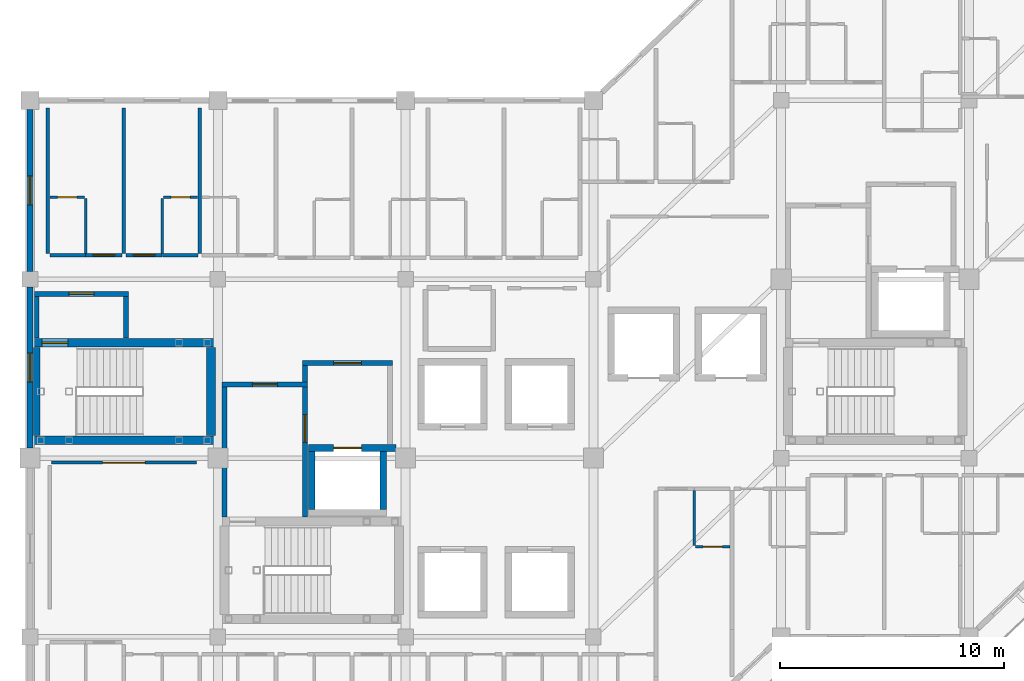
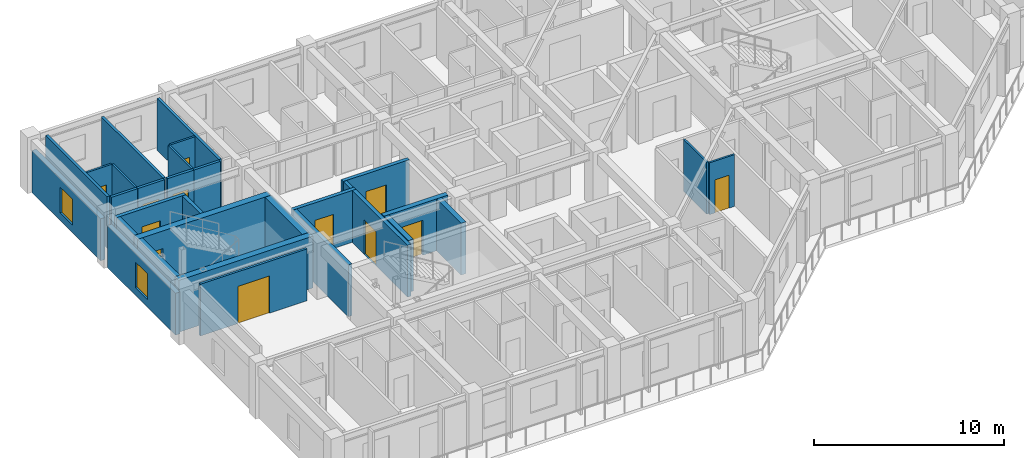
# One storey, part 7 of 17: 31 walls, 12 doors, 2 windows, 14 openings.
"""IFC4 building model written with IfcOpenShell, lengths in metres."""

import ifcopenshell
import ifcopenshell.guid

model = None  # the IFC model being written
_history = None  # IfcOwnerHistory: only IFC2X3 demands one
_inside = {}  # id of a spatial element -> (the spatial element, [elements in it])
_under = {}  # id of a project, library or spatial element -> (it, [spatial elements below it])
_declared = {}  # id of a project -> (the project, [libraries it declares])
_typed = {}  # id of a type object -> (the type object, [elements of that type])
_made_of = {}  # id of a material, layer set ... -> (it, [elements and type objects made of it])


def new_model(schema):
    """Start an empty IFC model of exactly this schema.

    Asked for "IFC4X3", IfcOpenShell would pick the latest addendum, in which some entities
    have other attributes; the version numbers below select the first issue.
    IFC2X3 requires an IfcOwnerHistory on every rooted entity: one is made here for all.
    """
    global model, _history
    if schema == "IFC4X3":
        model = ifcopenshell.file(schema_version=(4, 3, 0, 0))
    else:
        model = ifcopenshell.file(schema=schema)
    _inside.clear()
    _under.clear()
    _declared.clear()
    _typed.clear()
    _made_of.clear()
    _history = None
    if model.schema == "IFC2X3":
        org = make("IfcOrganization", Name="unknown")
        user = make(
            "IfcPersonAndOrganization",
            ThePerson=make("IfcPerson", FamilyName="unknown"),
            TheOrganization=org,
        )
        app = make(
            "IfcApplication",
            ApplicationDeveloper=org,
            Version="unknown",
            ApplicationFullName="unknown",
            ApplicationIdentifier="unknown",
        )
        _history = make(
            "IfcOwnerHistory",
            OwningUser=user,
            OwningApplication=app,
            ChangeAction="ADDED",
            CreationDate=0,
        )
    return model


def make(cls, **values):
    """One entity of the class cls with the attributes given. An attribute that is None is left unset."""
    return model.create_entity(
        cls, **{name: value for name, value in values.items() if value is not None}
    )


def rooted(cls, **values):
    """An entity with a GlobalId (a new one), such as an element, a storey or a relation."""
    return make(cls, GlobalId=ifcopenshell.guid.new(), OwnerHistory=_history, **values)


def si_unit(unit_type, name, prefix=None):
    """IfcSIUnit, for example si_unit("LENGTHUNIT", "METRE", prefix="MILLI")."""
    return make("IfcSIUnit", UnitType=unit_type, Prefix=prefix, Name=name)


def assignment(units):
    """IfcUnitAssignment: the units of a project."""
    return None if units is None else make("IfcUnitAssignment", Units=units)


def point(xyz):
    """IfcCartesianPoint."""
    return None if xyz is None else make("IfcCartesianPoint", Coordinates=xyz)


def direction(xyz):
    """IfcDirection."""
    return None if xyz is None else make("IfcDirection", DirectionRatios=xyz)


def frame(location, z_axis=None, x_axis=None):
    """IfcAxis2Placement3D, a coordinate frame: its origin and axes. An axis left out is left unset."""
    return make(
        "IfcAxis2Placement3D",
        Location=point(location),
        Axis=direction(z_axis),
        RefDirection=direction(x_axis),
    )


def frame_2d(location, x_axis=None):
    """IfcAxis2Placement2D, a coordinate frame in the plane: its origin and x axis."""
    return make(
        "IfcAxis2Placement2D", Location=point(location), RefDirection=direction(x_axis)
    )


def origin():
    """The frame at (0, 0, 0) with its axes left unset."""
    return frame((0.0, 0.0, 0.0))


def place(relative_to, where):
    """IfcLocalPlacement: puts the frame where relative to a parent placement (None: the world)."""
    return make(
        "IfcLocalPlacement", PlacementRelTo=relative_to, RelativePlacement=where
    )


def context(
    kind, dimensions, precision=None, world=None, true_north=None, identifier=None
):
    """IfcGeometricRepresentationContext, for example the 3D "Model" context."""
    return make(
        "IfcGeometricRepresentationContext",
        ContextIdentifier=identifier,
        ContextType=kind,
        CoordinateSpaceDimension=dimensions,
        Precision=precision,
        WorldCoordinateSystem=world,
        TrueNorth=true_north,
    )


def subcontext(parent, identifier, kind, view, scale=None):
    """IfcGeometricRepresentationSubContext, for example "Body" below "Model"."""
    return make(
        "IfcGeometricRepresentationSubContext",
        ContextIdentifier=identifier,
        ContextType=kind,
        ParentContext=parent,
        TargetScale=scale,
        TargetView=view,
    )


def project(units=None, contexts=None):
    """IfcProject with its units and contexts."""
    return rooted(
        "IfcProject",
        Name="project",
        RepresentationContexts=contexts,
        UnitsInContext=assignment(units),
    )


def spatial(cls, under=None, at=None, **own):
    """A site, building, storey or space (cls), placed at a placement, below another one or the project."""
    s = rooted(cls, ObjectPlacement=at, **own)
    if under is not None:
        _under.setdefault(under.id(), (under, []))[1].append(s)
    return s


def profile(cls, at=None, kind="AREA", **sizes):
    """A parametric profile (cls). Its sizes go by their IFC names, for example OverallWidth=200.0."""
    return make(cls, ProfileType=kind, Position=at, **sizes)


def rectangle(**sizes):
    """IfcRectangleProfileDef."""
    return profile("IfcRectangleProfileDef", **sizes)


def extrude(swept, where, along, depth):
    """IfcExtrudedAreaSolid: the profile swept, set in the frame where, extruded along a direction by depth."""
    return make(
        "IfcExtrudedAreaSolid",
        SweptArea=swept,
        Position=where,
        ExtrudedDirection=direction(along),
        Depth=depth,
    )


def shape(context_of_items, identifier, shape_type, items):
    """IfcShapeRepresentation: the items that make up one representation, for example the "Body"."""
    return make(
        "IfcShapeRepresentation",
        ContextOfItems=context_of_items,
        RepresentationIdentifier=identifier,
        RepresentationType=shape_type,
        Items=items,
    )


def material(Name=None, Category=None):
    """IfcMaterial."""
    return make("IfcMaterial", Name=Name, Category=Category)


def layer(
    of_material, thickness, ventilated=None, Name=None, Category=None, Priority=None
):
    """IfcMaterialLayer: one layer of a wall or slab, of a material (None: an air gap)."""
    return make(
        "IfcMaterialLayer",
        Material=of_material,
        LayerThickness=thickness,
        IsVentilated=ventilated,
        Name=Name,
        Category=Category,
        Priority=Priority,
    )


def layer_set(layers, Name=None):
    """IfcMaterialLayerSet."""
    return make("IfcMaterialLayerSet", MaterialLayers=layers, LayerSetName=Name)


def made_of(thing, what):
    """Note that an element or type object is made of a material, layer set ...; save() writes the relation."""
    if what is not None:
        _made_of.setdefault(what.id(), (what, []))[1].append(thing)
    return thing


def type_object(cls, material=None, **own):
    """A type object (cls), such as IfcWallType, which elements share."""
    return made_of(rooted(cls, **own), material)


def element(
    cls,
    number,
    at=None,
    inside=None,
    cuts=None,
    type_object=None,
    material=None,
    context=None,
    identifier="Body",
    shape_type=None,
    held_by="IfcProductDefinitionShape",
    body=None,
    shapes=None,
    **own,
):
    """One element of the class cls, such as IfcWall. Its Tag is "e" and its number.

    at: its placement. inside: the storey or other place that contains it. cuts: it is an
    opening in that element (IfcRelVoidsElement). A single representation is given by context,
    identifier, shape_type and body (its items); several are given by shapes. held_by: the class
    of the entity that holds the representations. save() writes the other relations.
    """
    e = rooted(cls, Tag="e%d" % number, ObjectPlacement=at, **own)
    if body is not None:
        shapes = [shape(context, identifier, shape_type, body)]
    if shapes is not None:
        e.Representation = make(held_by, Representations=shapes)
    if inside is not None:
        _inside.setdefault(inside.id(), (inside, []))[1].append(e)
    if cuts is not None:
        rooted(
            "IfcRelVoidsElement", RelatingBuildingElement=cuts, RelatedOpeningElement=e
        )
    if type_object is not None:
        _typed.setdefault(type_object.id(), (type_object, []))[1].append(e)
    return made_of(e, material)


def fill(opening, filler):
    """IfcRelFillsElement: the door or window that sits in an opening."""
    return rooted(
        "IfcRelFillsElement",
        RelatingOpeningElement=opening,
        RelatedBuildingElement=filler,
    )


def aggregate(whole, parts):
    """IfcRelAggregates: a whole, such as a stair, and the parts it consists of."""
    return rooted("IfcRelAggregates", RelatingObject=whole, RelatedObjects=parts)


def save(model, path):
    """Write the relations noted so far, then the file.

    IfcRelAggregates (storeys below a building ...), IfcRelContainedInSpatialStructure (elements
    in a storey), IfcRelDefinesByType, IfcRelAssociatesMaterial and IfcRelDeclares: one each for
    every whole, place, type object, material and project.
    """
    for whole, parts in _under.values():
        aggregate(whole, parts)
    for where, things in _inside.values():
        rooted(
            "IfcRelContainedInSpatialStructure",
            RelatedElements=things,
            RelatingStructure=where,
        )
    for kind, things in _typed.values():
        rooted("IfcRelDefinesByType", RelatedObjects=things, RelatingType=kind)
    for what, things in _made_of.values():
        rooted("IfcRelAssociatesMaterial", RelatedObjects=things, RelatingMaterial=what)
    for by, libraries in _declared.values():
        rooted("IfcRelDeclares", RelatingContext=by, RelatedDefinitions=libraries)
    model.write(path)


model = new_model("IFC4")

# Units and contexts
model_context = context("Model", 3, precision=1e-05, world=origin(), true_north=direction((0.0, 1.0)))
body_context = subcontext(model_context, "Body", "Model", "MODEL_VIEW")
ifc_project = project(units=[si_unit("LENGTHUNIT", "METRE"), si_unit("AREAUNIT", "SQUARE_METRE"), si_unit("VOLUMEUNIT", "CUBIC_METRE"), si_unit("PLANEANGLEUNIT", "RADIAN"), si_unit("MASSUNIT", "GRAM", prefix="KILO")], contexts=[model_context])

# Site, building, storey
site_placement = place(None, origin())
site = spatial("IfcSite", under=ifc_project, at=site_placement, CompositionType="ELEMENT")
building_placement = place(site_placement, origin())
building = spatial("IfcBuilding", under=site, at=building_placement, Name="Naruveol Harbour Congress Hotel", CompositionType="ELEMENT")
storey_placement = place(building_placement, frame((0.0, 0.0, 25.199951171875)))
storey = spatial("IfcBuildingStorey", under=building, at=storey_placement, Name="L05", CompositionType="ELEMENT", Elevation=25.199951171875)

# Wall, opening, door
ifc_material_1 = material(Name="Acoustic Double Stud Gypsum", Category="gypsum")
ifc_layer_1 = layer(ifc_material_1, 0.139892578125)
ifc_layer_set_1 = layer_set([ifc_layer_1], Name="Acoustic Double Stud Gypsum")
wall_type_1 = type_object("IfcWallType", Name="ACOUSTIC MEETING PARTITION WALL 140", PredefinedType="PARTITIONING", material=ifc_layer_set_1)
wall_1_placement = place(storey_placement, frame((118.56005859375, 15.800048828125, 0.0), z_axis=(0.0, 0.0, 1.0), x_axis=(1.0, 0.0, 0.0)))
wall_1 = element("IfcWall", 1, at=wall_1_placement, inside=storey, type_object=wall_type_1, Name="Harbour Club Lounge north entry wall PW-140", PredefinedType="PARTITIONING", context=body_context, shape_type="SweptSolid", body=[
    extrude(rectangle(XDim=6.47998046875, YDim=0.139892578125, at=frame_2d((3.239990234375, 0.0))), origin(), (0.0, 0.0, 1.0), 3.3349609375),
])
opening_1_placement = place(wall_1_placement, frame((2.2900390625, 0.0, 0.0)))
opening_1 = element("IfcOpeningElement", 2, at=opening_1_placement, cuts=wall_1, Name="Opening ID-LG-101", PredefinedType="OPENING", context=body_context, shape_type="SweptSolid", body=[
    extrude(rectangle(XDim=1.89990234375, YDim=2.39990234375, at=frame_2d((0.949951171875, 1.199951171875))), frame((0.0, 0.079833984375, 0.0), z_axis=(0.0, -1.0, 0.0), x_axis=(1.0, 0.0, 0.0)), (0.0, 0.0, 1.0), 0.159912109375),
])
ifc_material_2 = material(Name="Timber & Steel Acoustic Leaf", Category="steel")
door_type_1 = type_object("IfcDoorType", Name="RESTAURANT AND LOUNGE GLAZED DOOR 1900X2400", OperationType="DOUBLE_DOOR_SINGLE_SWING", PredefinedType="DOOR", material=ifc_material_2)
door_1_placement = place(opening_1_placement, origin())
door_1 = element("IfcDoor", 3, at=door_1_placement, inside=storey, type_object=door_type_1, Name="Harbour Club Lounge Entrance Door", OperationType="DOUBLE_DOOR_SINGLE_SWING", OverallHeight=2.39990234375, OverallWidth=1.89990234375, PredefinedType="DOOR", context=body_context, shape_type="SweptSolid", body=[
    extrude(rectangle(XDim=1.89990234375, YDim=2.39990234375, at=frame_2d((0.949951171875, 1.199951171875))), frame((0.0, 0.02490234375, 0.0), z_axis=(0.0, -1.0, 0.0), x_axis=(1.0, 0.0, 0.0)), (0.0, 0.0, 1.0), 0.050048828125),
])
fill(opening_1, door_1)

# Wall, opening, window
ifc_material_3 = material(Name="Precast concrete C40/50", Category="concrete")
ifc_layer_2 = layer(ifc_material_3, 0.280029296875)
ifc_layer_set_2 = layer_set([ifc_layer_2], Name="Precast concrete C40/50")
wall_type_2 = type_object("IfcWallType", Name="ARCHITECTURAL PRECAST FACADE WALL 280", PredefinedType="SOLIDWALL", material=ifc_layer_set_2)
wall_2_placement = place(storey_placement, frame((117.60009765625, 16.449951171875, 0.0), z_axis=(0.0, 0.0, 1.0), x_axis=(0.0, 1.0, 0.0)))
wall_2 = element("IfcWall", 4, at=wall_2_placement, inside=storey, type_object=wall_type_2, Name="Hotel west gable wall L05 EW-280", PredefinedType="SOLIDWALL", context=body_context, shape_type="SweptSolid", body=[
    extrude(rectangle(XDim=7.199951171875, YDim=0.280029296875, at=frame_2d((3.60009765625, 0.0))), origin(), (0.0, 0.0, 1.0), 2.699951171875),
])
opening_2_placement = place(wall_2_placement, frame((2.949951171875, 0.0, 0.5)))
opening_2 = element("IfcOpeningElement", 5, at=opening_2_placement, cuts=wall_2, Name="Opening W-27", PredefinedType="OPENING", context=body_context, shape_type="SweptSolid", body=[
    extrude(rectangle(XDim=1.300048828125, YDim=1.64990234375, at=frame_2d((0.64990234375, 0.824951171875))), frame((0.0, 0.14990234375, 0.0), z_axis=(0.0, -1.0, 0.0), x_axis=(1.0, 0.0, 0.0)), (0.0, 0.0, 1.0), 0.300048828125),
])
ifc_material_4 = material(Name="Low-E Triple Glazing in Thermal Aluminium", Category="aluminium")
window_type = type_object("IfcWindowType", Name="READING SALON TALL WINDOW 1300X1650", PartitioningType="SINGLE_PANEL", PredefinedType="WINDOW", material=ifc_material_4)
window_1_placement = place(opening_2_placement, origin())
window_1 = element("IfcWindow", 6, at=window_1_placement, inside=storey, type_object=window_type, Name="Window W-27 #344", OverallHeight=1.64990234375, OverallWidth=1.300048828125, PartitioningType="SINGLE_PANEL", PredefinedType="WINDOW", context=body_context, shape_type="SweptSolid", body=[
    extrude(rectangle(XDim=1.300048828125, YDim=1.64990234375, at=frame_2d((0.64990234375, 0.824951171875))), frame((0.0, 0.030029296875, 0.0), z_axis=(0.0, -1.0, 0.0), x_axis=(1.0, 0.0, 0.0)), (0.0, 0.0, 1.0), 0.06005859375),
])
fill(opening_2, window_1)

wall_3_placement = place(storey_placement, frame((117.60009765625, 24.35009765625, 0.0), z_axis=(0.0, 0.0, 1.0), x_axis=(0.0, 1.0, 0.0)))
wall_3 = element("IfcWall", 7, at=wall_3_placement, inside=storey, type_object=wall_type_2, Name="Hotel west gable wall L05 EW-280", PredefinedType="SOLIDWALL", context=body_context, shape_type="SweptSolid", body=[
    extrude(rectangle(XDim=7.25, YDim=0.280029296875, at=frame_2d((3.625, 0.0))), origin(), (0.0, 0.0, 1.0), 2.699951171875),
])
opening_3_placement = place(wall_3_placement, frame((2.97509765625, 0.0, 0.5)))
opening_3 = element("IfcOpeningElement", 8, at=opening_3_placement, cuts=wall_3, Name="Opening W-27", PredefinedType="OPENING", context=body_context, shape_type="SweptSolid", body=[
    extrude(rectangle(XDim=1.300048828125, YDim=1.64990234375, at=frame_2d((0.64990234375, 0.824951171875))), frame((0.0, 0.14990234375, 0.0), z_axis=(0.0, -1.0, 0.0), x_axis=(1.0, 0.0, 0.0)), (0.0, 0.0, 1.0), 0.300048828125),
])
window_2_placement = place(opening_3_placement, origin())
window_2 = element("IfcWindow", 9, at=window_2_placement, inside=storey, type_object=window_type, Name="Window W-27 #345", OverallHeight=1.64990234375, OverallWidth=1.300048828125, PartitioningType="SINGLE_PANEL", PredefinedType="WINDOW", context=body_context, shape_type="SweptSolid", body=[
    extrude(rectangle(XDim=1.300048828125, YDim=1.64990234375, at=frame_2d((0.64990234375, 0.824951171875))), frame((0.0, 0.030029296875, 0.0), z_axis=(0.0, -1.0, 0.0), x_axis=(1.0, 0.0, 0.0)), (0.0, 0.0, 1.0), 0.06005859375),
])
fill(opening_3, window_2)

# Wall
ifc_material_5 = material(Name="Moisture-Resistant Gypsum Partition", Category="gypsum")
ifc_layer_3 = layer(ifc_material_5, 0.114990234375)
ifc_layer_set_3 = layer_set([ifc_layer_3], Name="Moisture-Resistant Gypsum Partition")
wall_type_3 = type_object("IfcWallType", Name="BATHROOM MOISTURE PARTITION WALL 115", PredefinedType="PARTITIONING", material=ifc_layer_set_3)
wall_4_placement = place(storey_placement, frame((120.090087890625, 25.159912109375, 0.0), z_axis=(0.0, 0.0, 1.0), x_axis=(0.0, 1.0, 0.0)))
element("IfcWall", 10, at=wall_4_placement, inside=storey, type_object=wall_type_3, Name="Bathroom east wall 0634 PW-115", PredefinedType="PARTITIONING", context=body_context, shape_type="SweptSolid", body=[
    extrude(rectangle(XDim=2.4501953125, YDim=0.114990234375, at=frame_2d((1.22509765625, 0.0))), origin(), (0.0, 0.0, 1.0), 3.3349609375),
])

# Wall, opening, door
wall_5_placement = place(storey_placement, frame((118.5, 27.669921875, 0.0), z_axis=(0.0, 0.0, 1.0), x_axis=(1.0, 0.0, 0.0)))
wall_5 = element("IfcWall", 11, at=wall_5_placement, inside=storey, type_object=wall_type_3, Name="Bathroom north wall 0634 PW-115", PredefinedType="PARTITIONING", context=body_context, shape_type="SweptSolid", body=[
    extrude(rectangle(XDim=1.530029296875, YDim=0.114990234375, at=frame_2d((0.76513671875, 0.0))), origin(), (0.0, 0.0, 1.0), 3.3349609375),
])
opening_4_placement = place(wall_5_placement, frame((0.3349609375, 0.0, 0.0)))
opening_4 = element("IfcOpeningElement", 12, at=opening_4_placement, cuts=wall_5, Name="Opening BD-RM0634", PredefinedType="OPENING", context=body_context, shape_type="SweptSolid", body=[
    extrude(rectangle(XDim=0.860107421875, YDim=2.1201171875, at=frame_2d((0.43017578125, 1.06005859375))), frame((0.0, 0.0673828125, 0.0), z_axis=(0.0, -1.0, 0.0), x_axis=(1.0, 0.0, 0.0)), (0.0, 0.0, 1.0), 0.135009765625),
])
ifc_material_6 = material(Name="Timber & Steel Acoustic Leaf", Category="steel")
door_type_2 = type_object("IfcDoorType", Name="GUEST BATHROOM DOOR 860X2120", OperationType="NOTDEFINED", PredefinedType="DOOR", material=ifc_material_6)
door_2_placement = place(opening_4_placement, origin())
door_2 = element("IfcDoor", 13, at=door_2_placement, inside=storey, type_object=door_type_2, Name="Bathroom Door 0634", OperationType="SINGLE_SWING_RIGHT", OverallHeight=2.1201171875, OverallWidth=0.860107421875, PredefinedType="DOOR", context=body_context, shape_type="SweptSolid", body=[
    extrude(rectangle(XDim=0.860107421875, YDim=2.1201171875, at=frame_2d((0.43017578125, 1.06005859375))), frame((0.0, 0.02490234375, 0.0), z_axis=(0.0, -1.0, 0.0), x_axis=(1.0, 0.0, 0.0)), (0.0, 0.0, 1.0), 0.050048828125),
])
fill(opening_4, door_2)

# Wall
wall_6_placement = place(storey_placement, frame((123.510009765625, 25.159912109375, 0.0), z_axis=(0.0, 0.0, 1.0), x_axis=(0.0, 1.0, 0.0)))
element("IfcWall", 14, at=wall_6_placement, inside=storey, type_object=wall_type_3, Name="Bathroom west wall 0635 PW-115", PredefinedType="PARTITIONING", context=body_context, shape_type="SweptSolid", body=[
    extrude(rectangle(XDim=2.4501953125, YDim=0.114990234375, at=frame_2d((1.22509765625, 0.0))), origin(), (0.0, 0.0, 1.0), 3.3349609375),
])

# Wall, opening, door
wall_7_placement = place(storey_placement, frame((123.570068359375, 27.669921875, 0.0), z_axis=(0.0, 0.0, 1.0), x_axis=(1.0, 0.0, 0.0)))
wall_7 = element("IfcWall", 15, at=wall_7_placement, inside=storey, type_object=wall_type_3, Name="Bathroom north wall 0635 PW-115", PredefinedType="PARTITIONING", context=body_context, shape_type="SweptSolid", body=[
    extrude(rectangle(XDim=1.530029296875, YDim=0.114990234375, at=frame_2d((0.76513671875, 0.0))), origin(), (0.0, 0.0, 1.0), 3.3349609375),
])
opening_5_placement = place(wall_7_placement, frame((0.3349609375, 0.0, 0.0)))
opening_5 = element("IfcOpeningElement", 16, at=opening_5_placement, cuts=wall_7, Name="Opening BD-RM0635", PredefinedType="OPENING", context=body_context, shape_type="SweptSolid", body=[
    extrude(rectangle(XDim=0.860107421875, YDim=2.1201171875, at=frame_2d((0.43017578125, 1.06005859375))), frame((0.0, 0.0673828125, 0.0), z_axis=(0.0, -1.0, 0.0), x_axis=(1.0, 0.0, 0.0)), (0.0, 0.0, 1.0), 0.135009765625),
])
door_3_placement = place(opening_5_placement, origin())
door_3 = element("IfcDoor", 17, at=door_3_placement, inside=storey, type_object=door_type_2, Name="Bathroom Door 0635", OperationType="SINGLE_SWING_RIGHT", OverallHeight=2.1201171875, OverallWidth=0.860107421875, PredefinedType="DOOR", context=body_context, shape_type="SweptSolid", body=[
    extrude(rectangle(XDim=0.860107421875, YDim=2.1201171875, at=frame_2d((0.43017578125, 1.06005859375))), frame((0.0, 0.02490234375, 0.0), z_axis=(0.0, -1.0, 0.0), x_axis=(1.0, 0.0, 0.0)), (0.0, 0.0, 1.0), 0.050048828125),
])
fill(opening_5, door_3)

# Wall
wall_8_placement = place(storey_placement, frame((147.31005859375, 12.090087890625, 0.0), z_axis=(0.0, 0.0, 1.0), x_axis=(0.0, 1.0, 0.0)))
element("IfcWall", 18, at=wall_8_placement, inside=storey, type_object=wall_type_3, Name="Bathroom west wall 0623 PW-115", PredefinedType="PARTITIONING", context=body_context, shape_type="SweptSolid", body=[
    extrude(rectangle(XDim=2.449951171875, YDim=0.114990234375, at=frame_2d((1.22509765625, 0.0))), origin(), (0.0, 0.0, 1.0), 3.3349609375),
])

# Wall, opening, door
wall_9_placement = place(storey_placement, frame((147.3701171875, 12.030029296875, 0.0), z_axis=(0.0, 0.0, 1.0), x_axis=(1.0, 0.0, 0.0)))
wall_9 = element("IfcWall", 19, at=wall_9_placement, inside=storey, type_object=wall_type_3, Name="Bathroom south wall 0623 PW-115", PredefinedType="PARTITIONING", context=body_context, shape_type="SweptSolid", body=[
    extrude(rectangle(XDim=1.52978515625, YDim=0.114990234375, at=frame_2d((0.764892578125, 0.0))), origin(), (0.0, 0.0, 1.0), 3.3349609375),
])
opening_6_placement = place(wall_9_placement, frame((0.3349609375, 0.0, 0.0)))
opening_6 = element("IfcOpeningElement", 20, at=opening_6_placement, cuts=wall_9, Name="Opening BD-RM0623", PredefinedType="OPENING", context=body_context, shape_type="SweptSolid", body=[
    extrude(rectangle(XDim=0.860107421875, YDim=2.1201171875, at=frame_2d((0.43017578125, 1.06005859375))), frame((0.0, 0.0673828125, 0.0), z_axis=(0.0, -1.0, 0.0), x_axis=(1.0, 0.0, 0.0)), (0.0, 0.0, 1.0), 0.135009765625),
])
door_4_placement = place(opening_6_placement, origin())
door_4 = element("IfcDoor", 21, at=door_4_placement, inside=storey, type_object=door_type_2, Name="Bathroom Door 0623", OperationType="SINGLE_SWING_RIGHT", OverallHeight=2.1201171875, OverallWidth=0.860107421875, PredefinedType="DOOR", context=body_context, shape_type="SweptSolid", body=[
    extrude(rectangle(XDim=0.860107421875, YDim=2.1201171875, at=frame_2d((0.43017578125, 1.06005859375))), frame((0.0, 0.02490234375, 0.0), z_axis=(0.0, -1.0, 0.0), x_axis=(1.0, 0.0, 0.0)), (0.0, 0.0, 1.0), 0.050048828125),
])
fill(opening_6, door_4)

# Wall
ifc_material_7 = material(Name="Concrete C40/50", Category="concrete")
ifc_layer_4 = layer(ifc_material_7, 0.219970703125)
ifc_layer_set_4 = layer_set([ifc_layer_4], Name="Concrete C40/50")
wall_type_4 = type_object("IfcWallType", Name="FIRE COMPARTMENT AND LOBBY WALL 220 EI120", PredefinedType="PARTITIONING", material=ifc_layer_set_4)
wall_10_placement = place(storey_placement, frame((126.300048828125, 13.364990234375, 0.0), z_axis=(0.0, 0.0, 1.0), x_axis=(0.0, 1.0, 0.0)))
element("IfcWall", 22, at=wall_10_placement, inside=storey, type_object=wall_type_4, Name="Smoke vestibule ST1 west wall FW-220", PredefinedType="PARTITIONING", context=body_context, shape_type="SweptSolid", body=[
    extrude(rectangle(XDim=5.820068359375, YDim=0.219970703125, at=frame_2d((2.91015625, 0.0))), origin(), (0.0, 0.0, 1.0), 3.3349609375),
])

# Wall, opening, door
wall_11_placement = place(storey_placement, frame((126.18994140625, 19.300048828125, 0.0), z_axis=(0.0, 0.0, 1.0), x_axis=(1.0, 0.0, 0.0)))
wall_11 = element("IfcWall", 23, at=wall_11_placement, inside=storey, type_object=wall_type_4, Name="Smoke vestibule ST1 north wall FW-220", PredefinedType="PARTITIONING", context=body_context, shape_type="SweptSolid", body=[
    extrude(rectangle(XDim=3.820068359375, YDim=0.219970703125, at=frame_2d((1.91015625, 0.0))), origin(), (0.0, 0.0, 1.0), 3.3349609375),
])
opening_7_placement = place(wall_11_placement, frame((1.35009765625, 0.0, 0.0)))
opening_7 = element("IfcOpeningElement", 24, at=opening_7_placement, cuts=wall_11, Name="Opening FD-ST1-V-L05", PredefinedType="OPENING", context=body_context, shape_type="SweptSolid", body=[
    extrude(rectangle(XDim=1.1201171875, YDim=2.199951171875, at=frame_2d((0.56005859375, 1.10009765625))), frame((0.0, 0.119873046875, 0.0), z_axis=(0.0, -1.0, 0.0), x_axis=(1.0, 0.0, 0.0)), (0.0, 0.0, 1.0), 0.239990234375),
])
ifc_material_8 = material(Name="Timber & Steel Acoustic Leaf", Category="steel")
door_type_3 = type_object("IfcDoorType", Name="VESTIBULE SMOKE CONTROL FIRE DOOR 1120X2200", OperationType="NOTDEFINED", PredefinedType="DOOR", material=ifc_material_8)
door_5_placement = place(opening_7_placement, origin())
door_5 = element("IfcDoor", 25, at=door_5_placement, inside=storey, type_object=door_type_3, Name="Smoke Vestibule Entry Door ST1 L05", OperationType="SINGLE_SWING_LEFT", OverallHeight=2.199951171875, OverallWidth=1.1201171875, PredefinedType="DOOR", context=body_context, shape_type="SweptSolid", body=[
    extrude(rectangle(XDim=1.1201171875, YDim=2.199951171875, at=frame_2d((0.56005859375, 1.10009765625))), frame((0.0, 0.02490234375, 0.0), z_axis=(0.0, -1.0, 0.0), x_axis=(1.0, 0.0, 0.0)), (0.0, 0.0, 1.0), 0.050048828125),
])
fill(opening_7, door_5)

wall_12_placement = place(storey_placement, frame((129.89990234375, 13.364990234375, 0.0), z_axis=(0.0, 0.0, 1.0), x_axis=(0.0, 1.0, 0.0)))
wall_12 = element("IfcWall", 26, at=wall_12_placement, inside=storey, type_object=wall_type_4, Name="Smoke vestibule ST1 east wall FW-220", PredefinedType="PARTITIONING", context=body_context, shape_type="SweptSolid", body=[
    extrude(rectangle(XDim=5.820068359375, YDim=0.219970703125, at=frame_2d((2.91015625, 0.0))), origin(), (0.0, 0.0, 1.0), 3.3349609375),
])
opening_8_placement = place(wall_12_placement, frame((3.3349609375, 0.0, 0.0)))
opening_8 = element("IfcOpeningElement", 27, at=opening_8_placement, cuts=wall_12, Name="Opening FD-FFL-ST1-L05", PredefinedType="OPENING", context=body_context, shape_type="SweptSolid", body=[
    extrude(rectangle(XDim=1.239990234375, YDim=2.199951171875, at=frame_2d((0.6201171875, 1.10009765625))), frame((0.0, 0.119873046875, 0.0), z_axis=(0.0, -1.0, 0.0), x_axis=(1.0, 0.0, 0.0)), (0.0, 0.0, 1.0), 0.239990234375),
])
ifc_material_9 = material(Name="Timber & Steel Acoustic Leaf", Category="steel")
door_type_4 = type_object("IfcDoorType", Name="FIREFIGHTING LOBBY FIRE DOOR 1240X2200", OperationType="NOTDEFINED", PredefinedType="DOOR", material=ifc_material_9)
door_6_placement = place(opening_8_placement, origin())
door_6 = element("IfcDoor", 28, at=door_6_placement, inside=storey, type_object=door_type_4, Name="Firefighting Lobby Vestibule Door ST1 L05", OperationType="SINGLE_SWING_RIGHT", OverallHeight=2.199951171875, OverallWidth=1.239990234375, PredefinedType="DOOR", context=body_context, shape_type="SweptSolid", body=[
    extrude(rectangle(XDim=1.239990234375, YDim=2.199951171875, at=frame_2d((0.6201171875, 1.10009765625))), frame((0.0, 0.02490234375, 0.0), z_axis=(0.0, -1.0, 0.0), x_axis=(1.0, 0.0, 0.0)), (0.0, 0.0, 1.0), 0.050048828125),
])
fill(opening_8, door_6)

# Wall
wall_13_placement = place(storey_placement, frame((129.89990234375, 19.4150390625, 0.0), z_axis=(0.0, 0.0, 1.0), x_axis=(0.0, 1.0, 0.0)))
element("IfcWall", 29, at=wall_13_placement, inside=storey, type_object=wall_type_4, Name="Firefighting lift lobby ST1 upper west wall FW-220", PredefinedType="PARTITIONING", context=body_context, shape_type="SweptSolid", body=[
    extrude(rectangle(XDim=0.719970703125, YDim=0.219970703125, at=frame_2d((0.35986328125, 0.0))), origin(), (0.0, 0.0, 1.0), 3.3349609375),
])

# Wall, opening, door
wall_14_placement = place(storey_placement, frame((129.7900390625, 20.25, 0.0), z_axis=(0.0, 0.0, 1.0), x_axis=(1.0, 0.0, 0.0)))
wall_14 = element("IfcWall", 30, at=wall_14_placement, inside=storey, type_object=wall_type_4, Name="Firefighting lift lobby ST1 north wall FW-220", PredefinedType="PARTITIONING", context=body_context, shape_type="SweptSolid", body=[
    extrude(rectangle(XDim=4.02001953125, YDim=0.219970703125, at=frame_2d((2.010009765625, 0.0))), origin(), (0.0, 0.0, 1.0), 3.3349609375),
])
opening_9_placement = place(wall_14_placement, frame((1.389892578125, 0.0, 0.0)))
opening_9 = element("IfcOpeningElement", 31, at=opening_9_placement, cuts=wall_14, Name="Opening FD-FFC-ST1-L05", PredefinedType="OPENING", context=body_context, shape_type="SweptSolid", body=[
    extrude(rectangle(XDim=1.239990234375, YDim=2.199951171875, at=frame_2d((0.6201171875, 1.10009765625))), frame((0.0, 0.119873046875, 0.0), z_axis=(0.0, -1.0, 0.0), x_axis=(1.0, 0.0, 0.0)), (0.0, 0.0, 1.0), 0.239990234375),
])
door_7_placement = place(opening_9_placement, origin())
door_7 = element("IfcDoor", 32, at=door_7_placement, inside=storey, type_object=door_type_4, Name="Firefighting Lobby Corridor Door ST1 L05", OperationType="SINGLE_SWING_LEFT", OverallHeight=2.199951171875, OverallWidth=1.239990234375, PredefinedType="DOOR", context=body_context, shape_type="SweptSolid", body=[
    extrude(rectangle(XDim=1.239990234375, YDim=2.199951171875, at=frame_2d((0.6201171875, 1.10009765625))), frame((0.0, 0.02490234375, 0.0), z_axis=(0.0, -1.0, 0.0), x_axis=(1.0, 0.0, 0.0)), (0.0, 0.0, 1.0), 0.050048828125),
])
fill(opening_9, door_7)

# Wall
wall_15_placement = place(storey_placement, frame((117.89990234375, 21.364990234375, 0.0), z_axis=(0.0, 0.0, 1.0), x_axis=(0.0, 1.0, 0.0)))
element("IfcWall", 33, at=wall_15_placement, inside=storey, type_object=wall_type_4, Name="Smoke vestibule ST3 west wall FW-220", PredefinedType="PARTITIONING", context=body_context, shape_type="SweptSolid", body=[
    extrude(rectangle(XDim=1.8701171875, YDim=0.219970703125, at=frame_2d((0.93505859375, 0.0))), origin(), (0.0, 0.0, 1.0), 3.3349609375),
])

# Wall, opening, door
wall_16_placement = place(storey_placement, frame((117.7900390625, 23.35009765625, 0.0), z_axis=(0.0, 0.0, 1.0), x_axis=(1.0, 0.0, 0.0)))
wall_16 = element("IfcWall", 34, at=wall_16_placement, inside=storey, type_object=wall_type_4, Name="Smoke vestibule ST3 north wall FW-220", PredefinedType="PARTITIONING", context=body_context, shape_type="SweptSolid", body=[
    extrude(rectangle(XDim=4.219970703125, YDim=0.219970703125, at=frame_2d((2.10986328125, 0.0))), origin(), (0.0, 0.0, 1.0), 3.3349609375),
])
opening_10_placement = place(wall_16_placement, frame((1.550048828125, 0.0, 0.0)))
opening_10 = element("IfcOpeningElement", 35, at=opening_10_placement, cuts=wall_16, Name="Opening FD-ST3-V-L05", PredefinedType="OPENING", context=body_context, shape_type="SweptSolid", body=[
    extrude(rectangle(XDim=1.1201171875, YDim=2.199951171875, at=frame_2d((0.56005859375, 1.10009765625))), frame((0.0, 0.119873046875, 0.0), z_axis=(0.0, -1.0, 0.0), x_axis=(1.0, 0.0, 0.0)), (0.0, 0.0, 1.0), 0.239990234375),
])
door_8_placement = place(opening_10_placement, origin())
door_8 = element("IfcDoor", 36, at=door_8_placement, inside=storey, type_object=door_type_3, Name="Smoke Vestibule Entry Door ST3 L05", OperationType="SINGLE_SWING_LEFT", OverallHeight=2.199951171875, OverallWidth=1.1201171875, PredefinedType="DOOR", context=body_context, shape_type="SweptSolid", body=[
    extrude(rectangle(XDim=1.1201171875, YDim=2.199951171875, at=frame_2d((0.56005859375, 1.10009765625))), frame((0.0, 0.02490234375, 0.0), z_axis=(0.0, -1.0, 0.0), x_axis=(1.0, 0.0, 0.0)), (0.0, 0.0, 1.0), 0.050048828125),
])
fill(opening_10, door_8)

# Walls
wall_17_placement = place(storey_placement, frame((121.89990234375, 21.364990234375, 0.0), z_axis=(0.0, 0.0, 1.0), x_axis=(0.0, 1.0, 0.0)))
element("IfcWall", 37, at=wall_17_placement, inside=storey, type_object=wall_type_4, Name="Smoke vestibule ST3 east wall FW-220", PredefinedType="PARTITIONING", context=body_context, shape_type="SweptSolid", body=[
    extrude(rectangle(XDim=1.8701171875, YDim=0.219970703125, at=frame_2d((0.93505859375, 0.0))), origin(), (0.0, 0.0, 1.0), 3.3349609375),
])
ifc_material_10 = material(Name="Autoclaved Aerated Concrete Block", Category="concrete")
ifc_layer_5 = layer(ifc_material_10, 0.159912109375)
ifc_layer_set_5 = layer_set([ifc_layer_5], Name="Autoclaved Aerated Concrete Block")
wall_type_5 = type_object("IfcWallType", Name="HOTEL PARTY AND CORRIDOR WALL 160 EI60", PredefinedType="PARTITIONING", material=ifc_layer_set_5)
wall_18_placement = place(storey_placement, frame((118.489990234375, 25.070068359375, 0.0), z_axis=(0.0, 0.0, 1.0), x_axis=(1.0, 0.0, 0.0)))
element("IfcWall", 38, at=wall_18_placement, inside=storey, type_object=wall_type_5, Name="Corridor wall 0634B PW-160", PredefinedType="PARTITIONING", context=body_context, shape_type="SweptSolid", body=[
    extrude(rectangle(XDim=1.590087890625, YDim=0.159912109375, at=frame_2d((0.794921875, 0.0))), origin(), (0.0, 0.0, 1.0), 3.3349609375),
])

# Wall, opening, door
wall_19_placement = place(storey_placement, frame((120.090087890625, 25.070068359375, 0.0), z_axis=(0.0, 0.0, 1.0), x_axis=(1.0, 0.0, 0.0)))
wall_19 = element("IfcWall", 39, at=wall_19_placement, inside=storey, type_object=wall_type_5, Name="Corridor entry wall 0634 PW-160", PredefinedType="PARTITIONING", context=body_context, shape_type="SweptSolid", body=[
    extrude(rectangle(XDim=1.619873046875, YDim=0.159912109375, at=frame_2d((0.81005859375, 0.0))), origin(), (0.0, 0.0, 1.0), 3.3349609375),
])
opening_11_placement = place(wall_19_placement, frame((0.330078125, 0.0, 0.0)))
opening_11 = element("IfcOpeningElement", 40, at=opening_11_placement, cuts=wall_19, Name="Opening FD-RM0634", PredefinedType="OPENING", context=body_context, shape_type="SweptSolid", body=[
    extrude(rectangle(XDim=0.9599609375, YDim=2.199951171875, at=frame_2d((0.47998046875, 1.10009765625))), frame((0.0, 0.08984375, 0.0), z_axis=(0.0, -1.0, 0.0), x_axis=(1.0, 0.0, 0.0)), (0.0, 0.0, 1.0), 0.179931640625),
])
ifc_material_11 = material(Name="Timber & Steel Acoustic Leaf", Category="steel")
door_type_5 = type_object("IfcDoorType", Name="GUEST ROOM ENTRANCE FIRE DOOR 960X2200", OperationType="NOTDEFINED", PredefinedType="DOOR", material=ifc_material_11)
door_9_placement = place(opening_11_placement, origin())
door_9 = element("IfcDoor", 41, at=door_9_placement, inside=storey, type_object=door_type_5, Name="Hotel Room Door 0634", OperationType="SINGLE_SWING_LEFT", OverallHeight=2.199951171875, OverallWidth=0.9599609375, PredefinedType="DOOR", context=body_context, shape_type="SweptSolid", body=[
    extrude(rectangle(XDim=0.9599609375, YDim=2.199951171875, at=frame_2d((0.47998046875, 1.10009765625))), frame((0.0, 0.02490234375, 0.0), z_axis=(0.0, -1.0, 0.0), x_axis=(1.0, 0.0, 0.0)), (0.0, 0.0, 1.0), 0.050048828125),
])
fill(opening_11, door_9)

# Wall
wall_20_placement = place(storey_placement, frame((118.39990234375, 25.159912109375, 0.0), z_axis=(0.0, 0.0, 1.0), x_axis=(0.0, 1.0, 0.0)))
element("IfcWall", 42, at=wall_20_placement, inside=storey, type_object=wall_type_5, Name="Hotel party wall 0634 PW-160", PredefinedType="PARTITIONING", context=body_context, shape_type="SweptSolid", body=[
    extrude(rectangle(XDim=6.5, YDim=0.159912109375, at=frame_2d((3.25, 0.0))), origin(), (0.0, 0.0, 1.0), 3.3349609375),
])

# Wall, opening, door
wall_21_placement = place(storey_placement, frame((121.889892578125, 25.070068359375, 0.0), z_axis=(0.0, 0.0, 1.0), x_axis=(1.0, 0.0, 0.0)))
wall_21 = element("IfcWall", 43, at=wall_21_placement, inside=storey, type_object=wall_type_5, Name="Corridor entry wall 0635 PW-160", PredefinedType="PARTITIONING", context=body_context, shape_type="SweptSolid", body=[
    extrude(rectangle(XDim=1.6201171875, YDim=0.159912109375, at=frame_2d((0.81005859375, 0.0))), origin(), (0.0, 0.0, 1.0), 3.3349609375),
])
opening_12_placement = place(wall_21_placement, frame((0.330078125, 0.0, 0.0)))
opening_12 = element("IfcOpeningElement", 44, at=opening_12_placement, cuts=wall_21, Name="Opening FD-RM0635", PredefinedType="OPENING", context=body_context, shape_type="SweptSolid", body=[
    extrude(rectangle(XDim=0.9599609375, YDim=2.199951171875, at=frame_2d((0.47998046875, 1.10009765625))), frame((0.0, 0.08984375, 0.0), z_axis=(0.0, -1.0, 0.0), x_axis=(1.0, 0.0, 0.0)), (0.0, 0.0, 1.0), 0.179931640625),
])
door_10_placement = place(opening_12_placement, origin())
door_10 = element("IfcDoor", 45, at=door_10_placement, inside=storey, type_object=door_type_5, Name="Hotel Room Door 0635", OperationType="SINGLE_SWING_LEFT", OverallHeight=2.199951171875, OverallWidth=0.9599609375, PredefinedType="DOOR", context=body_context, shape_type="SweptSolid", body=[
    extrude(rectangle(XDim=0.9599609375, YDim=2.199951171875, at=frame_2d((0.47998046875, 1.10009765625))), frame((0.0, 0.02490234375, 0.0), z_axis=(0.0, -1.0, 0.0), x_axis=(1.0, 0.0, 0.0)), (0.0, 0.0, 1.0), 0.050048828125),
])
fill(opening_12, door_10)

# Walls
wall_22_placement = place(storey_placement, frame((123.52001953125, 25.070068359375, 0.0), z_axis=(0.0, 0.0, 1.0), x_axis=(1.0, 0.0, 0.0)))
element("IfcWall", 46, at=wall_22_placement, inside=storey, type_object=wall_type_5, Name="Corridor wall 0635B PW-160", PredefinedType="PARTITIONING", context=body_context, shape_type="SweptSolid", body=[
    extrude(rectangle(XDim=1.590087890625, YDim=0.159912109375, at=frame_2d((0.794921875, 0.0))), origin(), (0.0, 0.0, 1.0), 3.3349609375),
])
for number, where, z_axis, x_axis, name in (
    (47, (121.800048828125, 25.159912109375, 0.0), (0.0, 0.0, 1.0), (0.0, 1.0, 0.0), "Hotel party wall 0635 PW-160"),
    (48, (125.199951171875, 25.159912109375, 0.0), (0.0, 0.0, 1.0), (0.0, 1.0, 0.0), "Hotel party wall 0636 PW-160"),
):
    element("IfcWall", number, at=place(storey_placement, frame(where, z_axis=z_axis, x_axis=x_axis)), inside=storey, type_object=wall_type_5, Name=name, PredefinedType="PARTITIONING", context=body_context, shape_type="SweptSolid", body=[
        extrude(rectangle(XDim=6.5, YDim=0.159912109375, at=frame_2d((3.25, 0.0))), origin(), (0.0, 0.0, 1.0), 3.3349609375),
    ])
ifc_material_12 = material(Name="Concrete C50/60", Category="concrete")
ifc_layer_6 = layer(ifc_material_12, 0.39990234375)
ifc_layer_set_6 = layer_set([ifc_layer_6], Name="Concrete C50/60")
wall_type_6 = type_object("IfcWallType", Name="RC CORE SHEAR WALL 400 EI120", PredefinedType="SHEAR", material=ifc_layer_set_6)
wall_23_placement = place(storey_placement, frame((117.75, 16.800048828125, 0.0), z_axis=(0.0, 0.0, 1.0), x_axis=(1.0, 0.0, 0.0)))
element("IfcWall", 49, at=wall_23_placement, inside=storey, type_object=wall_type_6, Name="Stair ST3 south core wall CW-400", PredefinedType="SHEAR", context=body_context, shape_type="SweptSolid", body=[
    extrude(rectangle(XDim=8.14990234375, YDim=0.39990234375, at=frame_2d((4.074951171875, 0.0))), origin(), (0.0, 0.0, 1.0), 3.3349609375),
])
wall_24_placement = place(storey_placement, frame((125.699951171875, 17.0048828125, 0.0), z_axis=(0.0, 0.0, 1.0), x_axis=(0.0, 1.0, 0.0)))
element("IfcWall", 50, at=wall_24_placement, inside=storey, type_object=wall_type_6, Name="Stair ST3 east core wall CW-400", PredefinedType="SHEAR", context=body_context, shape_type="SweptSolid", body=[
    extrude(rectangle(XDim=3.9501953125, YDim=0.39990234375, at=frame_2d((1.97509765625, 0.0))), origin(), (0.0, 0.0, 1.0), 3.3349609375),
])

# Wall, opening, door
wall_25_placement = place(storey_placement, frame((117.75, 21.159912109375, 0.0), z_axis=(0.0, 0.0, 1.0), x_axis=(1.0, 0.0, 0.0)))
wall_25 = element("IfcWall", 51, at=wall_25_placement, inside=storey, type_object=wall_type_6, Name="Stair ST3 north core wall CW-400", PredefinedType="SHEAR", context=body_context, shape_type="SweptSolid", body=[
    extrude(rectangle(XDim=8.14990234375, YDim=0.39990234375, at=frame_2d((4.074951171875, 0.0))), origin(), (0.0, 0.0, 1.0), 3.3349609375),
])
opening_13_placement = place(wall_25_placement, frame((0.3798828125, 0.0, 0.0)))
opening_13 = element("IfcOpeningElement", 52, at=opening_13_placement, cuts=wall_25, Name="Opening FD-ST3-S-L05", PredefinedType="OPENING", context=body_context, shape_type="SweptSolid", body=[
    extrude(rectangle(XDim=1.159912109375, YDim=2.199951171875, at=frame_2d((0.580078125, 1.10009765625))), frame((0.0, 0.2099609375, 0.0), z_axis=(0.0, -1.0, 0.0), x_axis=(1.0, 0.0, 0.0)), (0.0, 0.0, 1.0), 0.419921875),
])
ifc_material_13 = material(Name="Timber & Steel Acoustic Leaf", Category="steel")
door_type_6 = type_object("IfcDoorType", Name="SPECIAL ESCAPE STAIR FIRE DOOR 1160X2200", OperationType="NOTDEFINED", PredefinedType="DOOR", material=ifc_material_13)
door_11_placement = place(opening_13_placement, origin())
door_11 = element("IfcDoor", 53, at=door_11_placement, inside=storey, type_object=door_type_6, Name="Special Escape Stair Door ST3 L05", OperationType="SINGLE_SWING_RIGHT", OverallHeight=2.199951171875, OverallWidth=1.159912109375, PredefinedType="DOOR", context=body_context, shape_type="SweptSolid", body=[
    extrude(rectangle(XDim=1.159912109375, YDim=2.199951171875, at=frame_2d((0.580078125, 1.10009765625))), frame((0.0, 0.02490234375, 0.0), z_axis=(0.0, -1.0, 0.0), x_axis=(1.0, 0.0, 0.0)), (0.0, 0.0, 1.0), 0.050048828125),
])
fill(opening_13, door_11)

# Wall
ifc_material_14 = material(Name="Concrete C50/60", Category="concrete")
ifc_layer_7 = layer(ifc_material_14, 0.300048828125)
ifc_layer_set_7 = layer_set([ifc_layer_7], Name="Concrete C50/60")
wall_type_7 = type_object("IfcWallType", Name="RC STAIR AND HOISTWAY SHEAR WALL 300 EI120", PredefinedType="SHEAR", material=ifc_layer_set_7)
wall_26_placement = place(storey_placement, frame((133.39990234375, 13.705078125, 0.0), z_axis=(0.0, 0.0, 1.0), x_axis=(0.0, 1.0, 0.0)))
element("IfcWall", 54, at=wall_26_placement, inside=storey, type_object=wall_type_7, Name="Hoistway east shear wall FL1 SW-300", PredefinedType="SHEAR", context=body_context, shape_type="SweptSolid", body=[
    extrude(rectangle(XDim=2.58984375, YDim=0.300048828125, at=frame_2d((1.294921875, 0.0))), origin(), (0.0, 0.0, 1.0), 3.3349609375),
])

# Wall, opening, door
wall_27_placement = place(storey_placement, frame((133.9599609375, 16.449951171875, 0.0), z_axis=(0.0, 0.0, 1.0), x_axis=(-1.0, 0.0, 0.0)))
wall_27 = element("IfcWall", 55, at=wall_27_placement, inside=storey, type_object=wall_type_7, Name="Hoistway north shear wall FL1 SW-300", PredefinedType="SHEAR", context=body_context, shape_type="SweptSolid", body=[
    extrude(rectangle(XDim=3.909912109375, YDim=0.300048828125, at=frame_2d((1.955078125, 0.0))), origin(), (0.0, 0.0, 1.0), 3.3349609375),
])
opening_14_placement = place(wall_27_placement, frame((1.534912109375, 0.0, 0.0)))
opening_14 = element("IfcOpeningElement", 56, at=opening_14_placement, cuts=wall_27, Name="Opening LD-FL1-L05", PredefinedType="OPENING", context=body_context, shape_type="SweptSolid", body=[
    extrude(rectangle(XDim=1.25, YDim=2.25, at=frame_2d((0.625, 1.125))), frame((0.0, 0.159912109375, 0.0), z_axis=(0.0, -1.0, 0.0), x_axis=(1.0, 0.0, 0.0)), (0.0, 0.0, 1.0), 0.320068359375),
])
ifc_material_15 = material(Name="Stainless Steel Lift Door", Category="steel")
door_type_7 = type_object("IfcDoorType", Name="FIREFIGHTING LIFT LANDING DOOR 1250X2250", OperationType="DOUBLE_DOOR_SLIDING", PredefinedType="DOOR", material=ifc_material_15)
door_12_placement = place(opening_14_placement, origin())
door_12 = element("IfcDoor", 57, at=door_12_placement, inside=storey, type_object=door_type_7, Name="Elevator Landing Door FL1 L05", OperationType="DOUBLE_DOOR_SLIDING", OverallHeight=2.25, OverallWidth=1.25, PredefinedType="DOOR", context=body_context, shape_type="SweptSolid", body=[
    extrude(rectangle(XDim=1.25, YDim=2.25, at=frame_2d((0.625, 1.125))), frame((0.0, 0.02490234375, 0.0), z_axis=(0.0, -1.0, 0.0), x_axis=(1.0, 0.0, 0.0)), (0.0, 0.0, 1.0), 0.050048828125),
])
fill(opening_14, door_12)

# Walls
wall_28_placement = place(storey_placement, frame((130.199951171875, 16.294921875, 0.0), z_axis=(0.0, 0.0, 1.0), x_axis=(0.0, -1.0, 0.0)))
element("IfcWall", 58, at=wall_28_placement, inside=storey, type_object=wall_type_7, Name="Hoistway west shear wall FL1 SW-300", PredefinedType="SHEAR", context=body_context, shape_type="SweptSolid", body=[
    extrude(rectangle(XDim=2.58984375, YDim=0.300048828125, at=frame_2d((1.294921875, 0.0))), origin(), (0.0, 0.0, 1.0), 3.3349609375),
])
wall_29_placement = place(storey_placement, frame((117.89990234375, 17.0048828125, 0.0), z_axis=(0.0, 0.0, 1.0), x_axis=(0.0, 1.0, 0.0)))
element("IfcWall", 59, at=wall_29_placement, inside=storey, type_object=wall_type_7, Name="Stair ST3 west core wall SW-300", PredefinedType="SHEAR", context=body_context, shape_type="SweptSolid", body=[
    extrude(rectangle(XDim=3.9501953125, YDim=0.300048828125, at=frame_2d((1.97509765625, 0.0))), origin(), (0.0, 0.0, 1.0), 3.3349609375),
])

save(model, "model.ifc")
